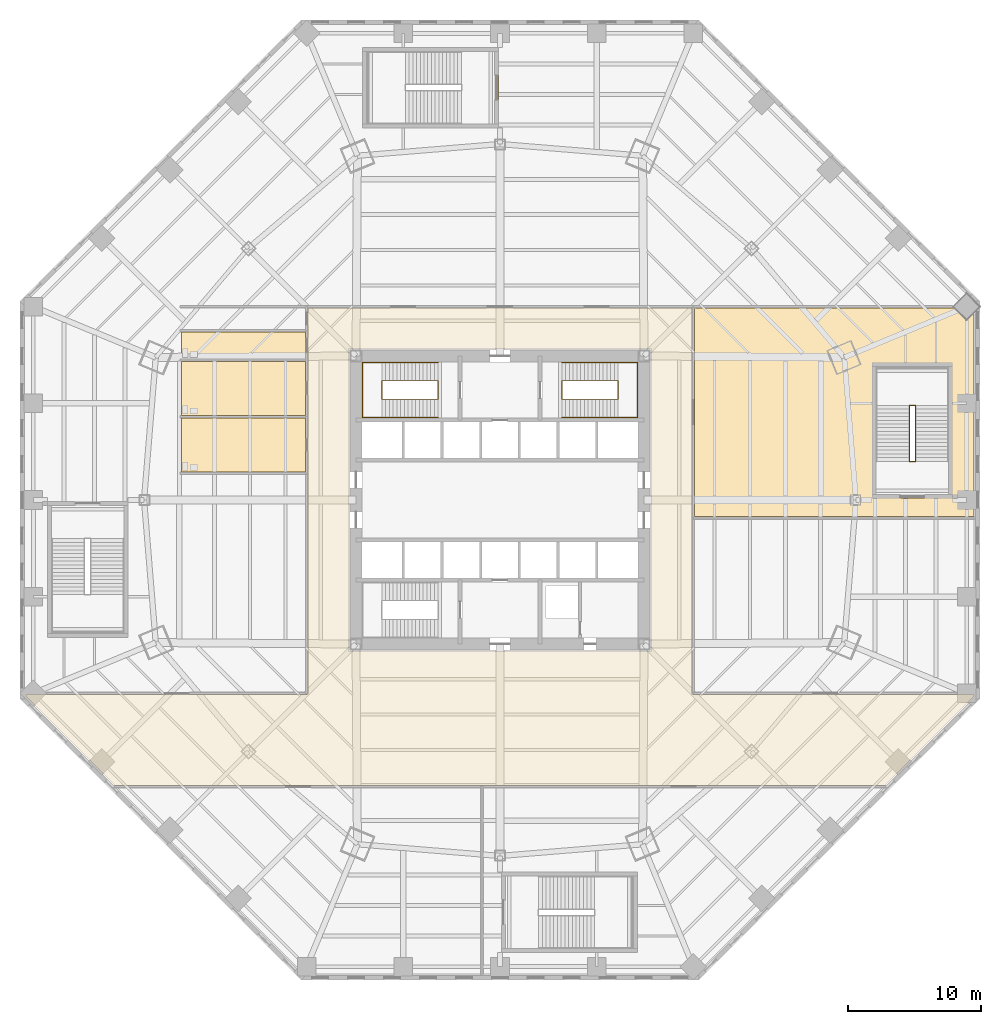
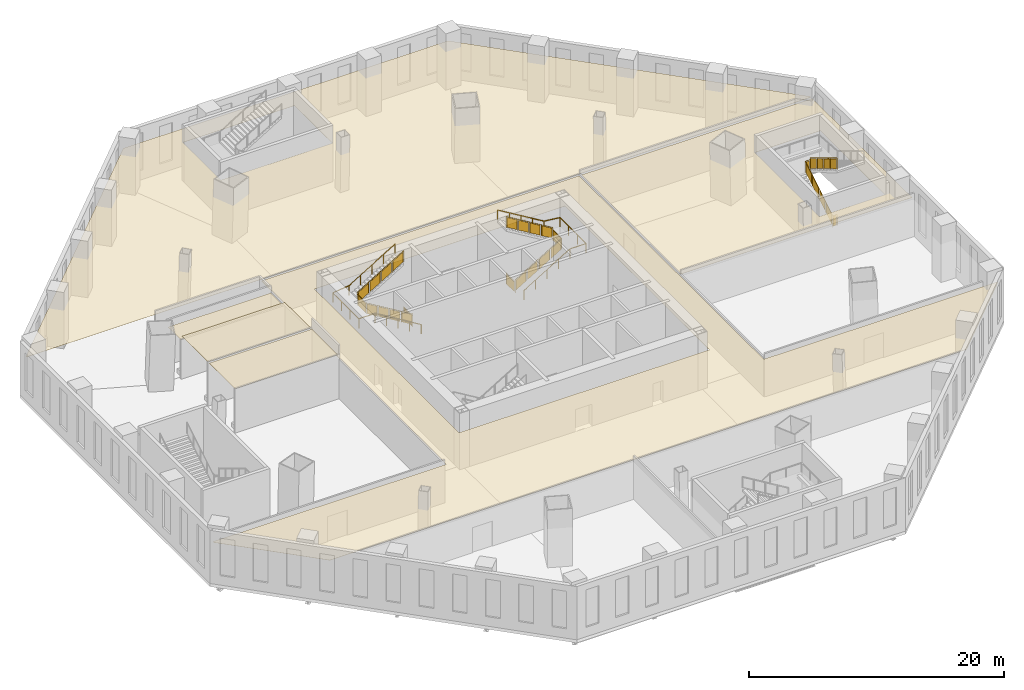
# One storey, part 16 of 18: 6 coverings, 5 railings.
"""IFC4 building model written with IfcOpenShell, lengths in metres."""

import ifcopenshell
import ifcopenshell.guid

model = None  # the IFC model being written
_history = None  # IfcOwnerHistory: only IFC2X3 demands one
_inside = {}  # id of a spatial element -> (the spatial element, [elements in it])
_under = {}  # id of a project, library or spatial element -> (it, [spatial elements below it])
_declared = {}  # id of a project -> (the project, [libraries it declares])
_typed = {}  # id of a type object -> (the type object, [elements of that type])
_made_of = {}  # id of a material, layer set ... -> (it, [elements and type objects made of it])


def new_model(schema):
    """Start an empty IFC model of exactly this schema.

    Asked for "IFC4X3", IfcOpenShell would pick the latest addendum, in which some entities
    have other attributes; the version numbers below select the first issue.
    IFC2X3 requires an IfcOwnerHistory on every rooted entity: one is made here for all.
    """
    global model, _history
    if schema == "IFC4X3":
        model = ifcopenshell.file(schema_version=(4, 3, 0, 0))
    else:
        model = ifcopenshell.file(schema=schema)
    _inside.clear()
    _under.clear()
    _declared.clear()
    _typed.clear()
    _made_of.clear()
    _history = None
    if model.schema == "IFC2X3":
        org = make("IfcOrganization", Name="unknown")
        user = make(
            "IfcPersonAndOrganization",
            ThePerson=make("IfcPerson", FamilyName="unknown"),
            TheOrganization=org,
        )
        app = make(
            "IfcApplication",
            ApplicationDeveloper=org,
            Version="unknown",
            ApplicationFullName="unknown",
            ApplicationIdentifier="unknown",
        )
        _history = make(
            "IfcOwnerHistory",
            OwningUser=user,
            OwningApplication=app,
            ChangeAction="ADDED",
            CreationDate=0,
        )
    return model


def make(cls, **values):
    """One entity of the class cls with the attributes given. An attribute that is None is left unset."""
    return model.create_entity(
        cls, **{name: value for name, value in values.items() if value is not None}
    )


def rooted(cls, **values):
    """An entity with a GlobalId (a new one), such as an element, a storey or a relation."""
    return make(cls, GlobalId=ifcopenshell.guid.new(), OwnerHistory=_history, **values)


def si_unit(unit_type, name, prefix=None):
    """IfcSIUnit, for example si_unit("LENGTHUNIT", "METRE", prefix="MILLI")."""
    return make("IfcSIUnit", UnitType=unit_type, Prefix=prefix, Name=name)


def assignment(units):
    """IfcUnitAssignment: the units of a project."""
    return None if units is None else make("IfcUnitAssignment", Units=units)


def point(xyz):
    """IfcCartesianPoint."""
    return None if xyz is None else make("IfcCartesianPoint", Coordinates=xyz)


def direction(xyz):
    """IfcDirection."""
    return None if xyz is None else make("IfcDirection", DirectionRatios=xyz)


def frame(location, z_axis=None, x_axis=None):
    """IfcAxis2Placement3D, a coordinate frame: its origin and axes. An axis left out is left unset."""
    return make(
        "IfcAxis2Placement3D",
        Location=point(location),
        Axis=direction(z_axis),
        RefDirection=direction(x_axis),
    )


def frame_2d(location, x_axis=None):
    """IfcAxis2Placement2D, a coordinate frame in the plane: its origin and x axis."""
    return make(
        "IfcAxis2Placement2D", Location=point(location), RefDirection=direction(x_axis)
    )


def origin():
    """The frame at (0, 0, 0) with its axes left unset."""
    return frame((0.0, 0.0, 0.0))


def origin_2d():
    """The frame at (0, 0) in the plane with its x axis left unset."""
    return frame_2d((0.0, 0.0))


def place(relative_to, where):
    """IfcLocalPlacement: puts the frame where relative to a parent placement (None: the world)."""
    return make(
        "IfcLocalPlacement", PlacementRelTo=relative_to, RelativePlacement=where
    )


def context(
    kind, dimensions, precision=None, world=None, true_north=None, identifier=None
):
    """IfcGeometricRepresentationContext, for example the 3D "Model" context."""
    return make(
        "IfcGeometricRepresentationContext",
        ContextIdentifier=identifier,
        ContextType=kind,
        CoordinateSpaceDimension=dimensions,
        Precision=precision,
        WorldCoordinateSystem=world,
        TrueNorth=true_north,
    )


def subcontext(parent, identifier, kind, view, scale=None):
    """IfcGeometricRepresentationSubContext, for example "Body" below "Model"."""
    return make(
        "IfcGeometricRepresentationSubContext",
        ContextIdentifier=identifier,
        ContextType=kind,
        ParentContext=parent,
        TargetScale=scale,
        TargetView=view,
    )


def project(units=None, contexts=None):
    """IfcProject with its units and contexts."""
    return rooted(
        "IfcProject",
        Name="project",
        RepresentationContexts=contexts,
        UnitsInContext=assignment(units),
    )


def spatial(cls, under=None, at=None, **own):
    """A site, building, storey or space (cls), placed at a placement, below another one or the project."""
    s = rooted(cls, ObjectPlacement=at, **own)
    if under is not None:
        _under.setdefault(under.id(), (under, []))[1].append(s)
    return s


def polyline(points):
    """IfcPolyline through the points."""
    return make("IfcPolyline", Points=[point(p) for p in points])


def profile(cls, at=None, kind="AREA", **sizes):
    """A parametric profile (cls). Its sizes go by their IFC names, for example OverallWidth=200.0."""
    return make(cls, ProfileType=kind, Position=at, **sizes)


def circle(**sizes):
    """IfcCircleProfileDef."""
    return profile("IfcCircleProfileDef", **sizes)


def outline(outer, holes=None, kind="AREA"):
    """IfcArbitraryClosedProfileDef: a profile drawn as a closed curve; with holes, ...WithVoids."""
    if holes is None:
        return make("IfcArbitraryClosedProfileDef", ProfileType=kind, OuterCurve=outer)
    return make(
        "IfcArbitraryProfileDefWithVoids",
        ProfileType=kind,
        OuterCurve=outer,
        InnerCurves=holes,
    )


def extrude(swept, where, along, depth):
    """IfcExtrudedAreaSolid: the profile swept, set in the frame where, extruded along a direction by depth."""
    return make(
        "IfcExtrudedAreaSolid",
        SweptArea=swept,
        Position=where,
        ExtrudedDirection=direction(along),
        Depth=depth,
    )


def shape(context_of_items, identifier, shape_type, items):
    """IfcShapeRepresentation: the items that make up one representation, for example the "Body"."""
    return make(
        "IfcShapeRepresentation",
        ContextOfItems=context_of_items,
        RepresentationIdentifier=identifier,
        RepresentationType=shape_type,
        Items=items,
    )


def material(Name=None, Category=None):
    """IfcMaterial."""
    return make("IfcMaterial", Name=Name, Category=Category)


def layer(
    of_material, thickness, ventilated=None, Name=None, Category=None, Priority=None
):
    """IfcMaterialLayer: one layer of a wall or slab, of a material (None: an air gap)."""
    return make(
        "IfcMaterialLayer",
        Material=of_material,
        LayerThickness=thickness,
        IsVentilated=ventilated,
        Name=Name,
        Category=Category,
        Priority=Priority,
    )


def layer_set(layers, Name=None):
    """IfcMaterialLayerSet."""
    return make("IfcMaterialLayerSet", MaterialLayers=layers, LayerSetName=Name)


def made_of(thing, what):
    """Note that an element or type object is made of a material, layer set ...; save() writes the relation."""
    if what is not None:
        _made_of.setdefault(what.id(), (what, []))[1].append(thing)
    return thing


def type_object(cls, material=None, **own):
    """A type object (cls), such as IfcWallType, which elements share."""
    return made_of(rooted(cls, **own), material)


def element(
    cls,
    number,
    at=None,
    inside=None,
    cuts=None,
    type_object=None,
    material=None,
    context=None,
    identifier="Body",
    shape_type=None,
    held_by="IfcProductDefinitionShape",
    body=None,
    shapes=None,
    **own,
):
    """One element of the class cls, such as IfcWall. Its Tag is "e" and its number.

    at: its placement. inside: the storey or other place that contains it. cuts: it is an
    opening in that element (IfcRelVoidsElement). A single representation is given by context,
    identifier, shape_type and body (its items); several are given by shapes. held_by: the class
    of the entity that holds the representations. save() writes the other relations.
    """
    e = rooted(cls, Tag="e%d" % number, ObjectPlacement=at, **own)
    if body is not None:
        shapes = [shape(context, identifier, shape_type, body)]
    if shapes is not None:
        e.Representation = make(held_by, Representations=shapes)
    if inside is not None:
        _inside.setdefault(inside.id(), (inside, []))[1].append(e)
    if cuts is not None:
        rooted(
            "IfcRelVoidsElement", RelatingBuildingElement=cuts, RelatedOpeningElement=e
        )
    if type_object is not None:
        _typed.setdefault(type_object.id(), (type_object, []))[1].append(e)
    return made_of(e, material)


def aggregate(whole, parts):
    """IfcRelAggregates: a whole, such as a stair, and the parts it consists of."""
    return rooted("IfcRelAggregates", RelatingObject=whole, RelatedObjects=parts)


def save(model, path):
    """Write the relations noted so far, then the file.

    IfcRelAggregates (storeys below a building ...), IfcRelContainedInSpatialStructure (elements
    in a storey), IfcRelDefinesByType, IfcRelAssociatesMaterial and IfcRelDeclares: one each for
    every whole, place, type object, material and project.
    """
    for whole, parts in _under.values():
        aggregate(whole, parts)
    for where, things in _inside.values():
        rooted(
            "IfcRelContainedInSpatialStructure",
            RelatedElements=things,
            RelatingStructure=where,
        )
    for kind, things in _typed.values():
        rooted("IfcRelDefinesByType", RelatedObjects=things, RelatingType=kind)
    for what, things in _made_of.values():
        rooted("IfcRelAssociatesMaterial", RelatedObjects=things, RelatingMaterial=what)
    for by, libraries in _declared.values():
        rooted("IfcRelDeclares", RelatingContext=by, RelatedDefinitions=libraries)
    model.write(path)


model = new_model("IFC4")

# Units and contexts
model_context = context("Model", 3, precision=1e-05, world=origin(), true_north=direction((0.0, 1.0)))
body_context = subcontext(model_context, "Body", "Model", "MODEL_VIEW")
ifc_project = project(units=[si_unit("LENGTHUNIT", "METRE"), si_unit("AREAUNIT", "SQUARE_METRE"), si_unit("VOLUMEUNIT", "CUBIC_METRE"), si_unit("PLANEANGLEUNIT", "RADIAN"), si_unit("MASSUNIT", "GRAM", prefix="KILO")], contexts=[model_context])

# Site, building, storey
site_placement = place(None, origin())
site = spatial("IfcSite", under=ifc_project, at=site_placement, CompositionType="ELEMENT")
building_placement = place(site_placement, origin())
building = spatial("IfcBuilding", under=site, at=building_placement, Name="Mashrafa Tower", CompositionType="ELEMENT")
storey_placement = place(building_placement, frame((0.0, 0.0, 18.60009765625)))
storey = spatial("IfcBuildingStorey", under=building, at=storey_placement, Name="L03", CompositionType="ELEMENT", Elevation=18.60009765625)

# Railings
ifc_material_1 = material(Name="Steel guard with glass infill", Category="steel")
railing_type_1 = type_object("IfcRailingType", Name="Stair guard 1100", PredefinedType="GUARDRAIL", material=ifc_material_1)
railing_1_placement = place(storey_placement, frame((-4.64990234375, 8.949951171875, 0.0)))
element("IfcRailing", 1, at=railing_1_placement, inside=storey, type_object=railing_type_1, Name="Stair S1 guard L03", PredefinedType="GUARDRAIL", context=body_context, shape_type="SweptSolid", body=[
    extrude(circle(Radius=0.02392578125, at=origin_2d()), frame((0.0, 0.0, 1.076171875), z_axis=(0.0, -1.0, 0.0), x_axis=(1.0, 0.0, 0.0)), (0.0, 0.0, 1.0), 1.39990234375),
    extrude(circle(Radius=0.02392578125, at=origin_2d()), frame((0.0, -1.39990234375, 1.076171875), z_axis=(0.0, 0.0, 1.0), x_axis=(1.0, 0.0, 0.0)), (0.0, 0.0, 1.0), 0.168701171875),
    extrude(circle(Radius=0.02392578125, at=origin_2d()), frame((0.0, -1.39990234375, 1.24462890625), z_axis=(-0.856489757249, 0.0, 0.516164020179), x_axis=(0.0, -1.0, 0.0)), (0.0, 0.0, 1.0), 4.904052734375),
    extrude(circle(Radius=0.02392578125, at=origin_2d()), frame((-4.2001953125, -1.39990234375, 3.77587890625), z_axis=(0.0, 1.0, 0.0), x_axis=(-1.0, 0.0, 0.0)), (0.0, 0.0, 1.0), 1.39990234375),
    extrude(circle(Radius=0.02392578125, at=origin_2d()), frame((-4.2001953125, 0.0, 3.77587890625), z_axis=(0.0, 0.0, 1.0), x_axis=(1.0, 0.0, 0.0)), (0.0, 0.0, 1.0), 0.168701171875),
    extrude(circle(Radius=0.02392578125, at=origin_2d()), frame((-4.2001953125, 0.0, 3.94482421875), z_axis=(0.856489757249, 0.0, 0.516164020179), x_axis=(0.0, 1.0, 0.0)), (0.0, 0.0, 1.0), 4.904052734375),
    extrude(circle(Radius=0.02099609375, at=origin_2d()), origin(), (0.0, 0.0, 1.0), 1.052001953125),
    extrude(circle(Radius=0.02099609375, at=origin_2d()), frame((0.0, -1.39990234375, 0.0)), (0.0, 0.0, 1.0), 1.052001953125),
    extrude(circle(Radius=0.02099609375, at=origin_2d()), frame((0.0, -1.39990234375, 0.168701171875)), (0.0, 0.0, 1.0), 1.052001953125),
    extrude(circle(Radius=0.02099609375, at=origin_2d()), frame((-1.050048828125, -1.39990234375, 0.801513671875)), (0.0, 0.0, 1.0), 1.052001953125),
    extrude(circle(Radius=0.02099609375, at=origin_2d()), frame((-2.10009765625, -1.39990234375, 1.434326171875)), (0.0, 0.0, 1.0), 1.052001953125),
    extrude(circle(Radius=0.02099609375, at=origin_2d()), frame((-3.150146484375, -1.39990234375, 2.067138671875)), (0.0, 0.0, 1.0), 1.052001953125),
    extrude(circle(Radius=0.02099609375, at=origin_2d()), frame((-4.2001953125, -1.39990234375, 2.699951171875)), (0.0, 0.0, 1.0), 1.052001953125),
    extrude(circle(Radius=0.02099609375, at=origin_2d()), frame((-4.2001953125, 0.0, 2.699951171875)), (0.0, 0.0, 1.0), 1.052001953125),
    extrude(circle(Radius=0.02099609375, at=origin_2d()), frame((-4.2001953125, 0.0, 2.86865234375)), (0.0, 0.0, 1.0), 1.052001953125),
    extrude(circle(Radius=0.02099609375, at=origin_2d()), frame((-3.150146484375, 0.0, 3.50146484375)), (0.0, 0.0, 1.0), 1.052001953125),
    extrude(circle(Radius=0.02099609375, at=origin_2d()), frame((-2.10009765625, 0.0, 4.13427734375)), (0.0, 0.0, 1.0), 1.052001953125),
    extrude(circle(Radius=0.02099609375, at=origin_2d()), frame((-1.050048828125, 0.0, 4.76708984375)), (0.0, 0.0, 1.0), 1.052001953125),
    extrude(circle(Radius=0.02099609375, at=origin_2d()), frame((0.0, 0.0, 5.39990234375)), (0.0, 0.0, 1.0), 1.052001953125),
    extrude(outline(polyline([(0.071044921875, 0.050048828125), (1.328857421875, 0.050048828125), (1.328857421875, 1.001953125), (0.071044921875, 1.001953125), (0.071044921875, 0.050048828125)])), frame((-0.006103515625, 0.0, 0.0), z_axis=(-1.0, 0.0, 0.0), x_axis=(0.0, -1.0, 0.0)), (0.0, 0.0, 1.0), 0.011962890625),
    extrude(outline(polyline([(0.071044921875, 0.0927734375), (0.97900390625, 0.64013671875), (0.97900390625, 1.592041015625), (0.071044921875, 1.044677734375), (0.071044921875, 0.0927734375)])), frame((0.0, -1.393798828125, 0.168701171875), z_axis=(0.0, 1.0, 0.0), x_axis=(-1.0, 0.0, 0.0)), (0.0, 0.0, 1.0), 0.011962890625),
    extrude(outline(polyline([(1.12109375, 0.7255859375), (2.029052734375, 1.27294921875), (2.029052734375, 2.224853515625), (1.12109375, 1.677490234375), (1.12109375, 0.7255859375)])), frame((0.0, -1.393798828125, 0.168701171875), z_axis=(0.0, 1.0, 0.0), x_axis=(-1.0, 0.0, 0.0)), (0.0, 0.0, 1.0), 0.011962890625),
    extrude(outline(polyline([(2.171142578125, 1.3583984375), (3.0791015625, 1.90576171875), (3.0791015625, 2.857666015625), (2.171142578125, 2.310302734375), (2.171142578125, 1.3583984375)])), frame((0.0, -1.393798828125, 0.168701171875), z_axis=(0.0, 1.0, 0.0), x_axis=(-1.0, 0.0, 0.0)), (0.0, 0.0, 1.0), 0.011962890625),
    extrude(outline(polyline([(3.22119140625, 1.9912109375), (4.129150390625, 2.53857421875), (4.129150390625, 3.490478515625), (3.22119140625, 2.943115234375), (3.22119140625, 1.9912109375)])), frame((0.0, -1.393798828125, 0.168701171875), z_axis=(0.0, 1.0, 0.0), x_axis=(-1.0, 0.0, 0.0)), (0.0, 0.0, 1.0), 0.011962890625),
    extrude(outline(polyline([(0.071044921875, 0.050048828125), (1.328857421875, 0.050048828125), (1.328857421875, 1.001953125), (0.071044921875, 1.001953125), (0.071044921875, 0.050048828125)])), frame((-4.194091796875, -1.39990234375, 2.699951171875), z_axis=(1.0, 0.0, 0.0), x_axis=(0.0, 1.0, 0.0)), (0.0, 0.0, 1.0), 0.011962890625),
    extrude(outline(polyline([(0.071044921875, 0.0927734375), (0.97900390625, 0.64013671875), (0.97900390625, 1.592041015625), (0.071044921875, 1.044677734375), (0.071044921875, 0.0927734375)])), frame((-4.2001953125, -0.006103515625, 2.86865234375), z_axis=(0.0, -1.0, 0.0), x_axis=(1.0, 0.0, 0.0)), (0.0, 0.0, 1.0), 0.011962890625),
    extrude(outline(polyline([(1.12109375, 0.7255859375), (2.029052734375, 1.27294921875), (2.029052734375, 2.224853515625), (1.12109375, 1.677490234375), (1.12109375, 0.7255859375)])), frame((-4.2001953125, -0.006103515625, 2.86865234375), z_axis=(0.0, -1.0, 0.0), x_axis=(1.0, 0.0, 0.0)), (0.0, 0.0, 1.0), 0.011962890625),
    extrude(outline(polyline([(2.171142578125, 1.3583984375), (3.0791015625, 1.90576171875), (3.0791015625, 2.857666015625), (2.171142578125, 2.310302734375), (2.171142578125, 1.3583984375)])), frame((-4.2001953125, -0.006103515625, 2.86865234375), z_axis=(0.0, -1.0, 0.0), x_axis=(1.0, 0.0, 0.0)), (0.0, 0.0, 1.0), 0.011962890625),
    extrude(outline(polyline([(3.22119140625, 1.9912109375), (4.129150390625, 2.53857421875), (4.129150390625, 3.490478515625), (3.22119140625, 2.943115234375), (3.22119140625, 1.9912109375)])), frame((-4.2001953125, -0.006103515625, 2.86865234375), z_axis=(0.0, -1.0, 0.0), x_axis=(1.0, 0.0, 0.0)), (0.0, 0.0, 1.0), 0.011962890625),
])
railing_2_placement = place(storey_placement, frame((4.64990234375, 8.949951171875, 0.0)))
element("IfcRailing", 2, at=railing_2_placement, inside=storey, type_object=railing_type_1, Name="Stair S2 guard L03", PredefinedType="GUARDRAIL", context=body_context, shape_type="SweptSolid", body=[
    extrude(circle(Radius=0.02392578125, at=origin_2d()), frame((0.0, 0.0, 1.076171875), z_axis=(0.0, -1.0, 0.0), x_axis=(1.0, 0.0, 0.0)), (0.0, 0.0, 1.0), 1.39990234375),
    extrude(circle(Radius=0.02392578125, at=origin_2d()), frame((0.0, -1.39990234375, 1.076171875), z_axis=(0.0, 0.0, 1.0), x_axis=(1.0, 0.0, 0.0)), (0.0, 0.0, 1.0), 0.168701171875),
    extrude(circle(Radius=0.02392578125, at=origin_2d()), frame((0.0, -1.39990234375, 1.24462890625), z_axis=(0.856489757249, 0.0, 0.516164020179), x_axis=(0.0, 1.0, 0.0)), (0.0, 0.0, 1.0), 4.904052734375),
    extrude(circle(Radius=0.02392578125, at=origin_2d()), frame((4.2001953125, -1.39990234375, 3.77587890625), z_axis=(0.0, 1.0, 0.0), x_axis=(-1.0, 0.0, 0.0)), (0.0, 0.0, 1.0), 1.39990234375),
    extrude(circle(Radius=0.02392578125, at=origin_2d()), frame((4.2001953125, 0.0, 3.77587890625), z_axis=(0.0, 0.0, 1.0), x_axis=(1.0, 0.0, 0.0)), (0.0, 0.0, 1.0), 0.168701171875),
    extrude(circle(Radius=0.02392578125, at=origin_2d()), frame((4.2001953125, 0.0, 3.94482421875), z_axis=(-0.856489757249, 0.0, 0.516164020179), x_axis=(0.0, -1.0, 0.0)), (0.0, 0.0, 1.0), 4.904052734375),
    extrude(circle(Radius=0.02099609375, at=origin_2d()), origin(), (0.0, 0.0, 1.0), 1.052001953125),
    extrude(circle(Radius=0.02099609375, at=origin_2d()), frame((0.0, -1.39990234375, 0.0)), (0.0, 0.0, 1.0), 1.052001953125),
    extrude(circle(Radius=0.02099609375, at=origin_2d()), frame((0.0, -1.39990234375, 0.168701171875)), (0.0, 0.0, 1.0), 1.052001953125),
    extrude(circle(Radius=0.02099609375, at=origin_2d()), frame((1.050048828125, -1.39990234375, 0.801513671875)), (0.0, 0.0, 1.0), 1.052001953125),
    extrude(circle(Radius=0.02099609375, at=origin_2d()), frame((2.10009765625, -1.39990234375, 1.434326171875)), (0.0, 0.0, 1.0), 1.052001953125),
    extrude(circle(Radius=0.02099609375, at=origin_2d()), frame((3.150146484375, -1.39990234375, 2.067138671875)), (0.0, 0.0, 1.0), 1.052001953125),
    extrude(circle(Radius=0.02099609375, at=origin_2d()), frame((4.2001953125, -1.39990234375, 2.699951171875)), (0.0, 0.0, 1.0), 1.052001953125),
    extrude(circle(Radius=0.02099609375, at=origin_2d()), frame((4.2001953125, 0.0, 2.699951171875)), (0.0, 0.0, 1.0), 1.052001953125),
    extrude(circle(Radius=0.02099609375, at=origin_2d()), frame((4.2001953125, 0.0, 2.86865234375)), (0.0, 0.0, 1.0), 1.052001953125),
    extrude(circle(Radius=0.02099609375, at=origin_2d()), frame((3.150146484375, 0.0, 3.50146484375)), (0.0, 0.0, 1.0), 1.052001953125),
    extrude(circle(Radius=0.02099609375, at=origin_2d()), frame((2.10009765625, 0.0, 4.13427734375)), (0.0, 0.0, 1.0), 1.052001953125),
    extrude(circle(Radius=0.02099609375, at=origin_2d()), frame((1.050048828125, 0.0, 4.76708984375)), (0.0, 0.0, 1.0), 1.052001953125),
    extrude(circle(Radius=0.02099609375, at=origin_2d()), frame((0.0, 0.0, 5.39990234375)), (0.0, 0.0, 1.0), 1.052001953125),
    extrude(outline(polyline([(0.071044921875, 0.050048828125), (1.328857421875, 0.050048828125), (1.328857421875, 1.001953125), (0.071044921875, 1.001953125), (0.071044921875, 0.050048828125)])), frame((-0.006103515625, 0.0, 0.0), z_axis=(-1.0, 0.0, 0.0), x_axis=(0.0, -1.0, 0.0)), (0.0, 0.0, 1.0), 0.011962890625),
    extrude(outline(polyline([(0.071044921875, 0.0927734375), (0.97900390625, 0.64013671875), (0.97900390625, 1.592041015625), (0.071044921875, 1.044677734375), (0.071044921875, 0.0927734375)])), frame((0.0, -1.406005859375, 0.168701171875), z_axis=(0.0, -1.0, 0.0), x_axis=(1.0, 0.0, 0.0)), (0.0, 0.0, 1.0), 0.011962890625),
    extrude(outline(polyline([(1.12109375, 0.7255859375), (2.029052734375, 1.27294921875), (2.029052734375, 2.224853515625), (1.12109375, 1.677490234375), (1.12109375, 0.7255859375)])), frame((0.0, -1.406005859375, 0.168701171875), z_axis=(0.0, -1.0, 0.0), x_axis=(1.0, 0.0, 0.0)), (0.0, 0.0, 1.0), 0.011962890625),
    extrude(outline(polyline([(2.171142578125, 1.3583984375), (3.0791015625, 1.90576171875), (3.0791015625, 2.857666015625), (2.171142578125, 2.310302734375), (2.171142578125, 1.3583984375)])), frame((0.0, -1.406005859375, 0.168701171875), z_axis=(0.0, -1.0, 0.0), x_axis=(1.0, 0.0, 0.0)), (0.0, 0.0, 1.0), 0.011962890625),
    extrude(outline(polyline([(3.22119140625, 1.9912109375), (4.129150390625, 2.53857421875), (4.129150390625, 3.490478515625), (3.22119140625, 2.943115234375), (3.22119140625, 1.9912109375)])), frame((0.0, -1.406005859375, 0.168701171875), z_axis=(0.0, -1.0, 0.0), x_axis=(1.0, 0.0, 0.0)), (0.0, 0.0, 1.0), 0.011962890625),
    extrude(outline(polyline([(0.071044921875, 0.050048828125), (1.328857421875, 0.050048828125), (1.328857421875, 1.001953125), (0.071044921875, 1.001953125), (0.071044921875, 0.050048828125)])), frame((4.206298828125, -1.39990234375, 2.699951171875), z_axis=(1.0, 0.0, 0.0), x_axis=(0.0, 1.0, 0.0)), (0.0, 0.0, 1.0), 0.011962890625),
    extrude(outline(polyline([(0.071044921875, 0.0927734375), (0.97900390625, 0.64013671875), (0.97900390625, 1.592041015625), (0.071044921875, 1.044677734375), (0.071044921875, 0.0927734375)])), frame((4.2001953125, 0.006103515625, 2.86865234375), z_axis=(0.0, 1.0, 0.0), x_axis=(-1.0, 0.0, 0.0)), (0.0, 0.0, 1.0), 0.011962890625),
    extrude(outline(polyline([(1.12109375, 0.7255859375), (2.029052734375, 1.27294921875), (2.029052734375, 2.224853515625), (1.12109375, 1.677490234375), (1.12109375, 0.7255859375)])), frame((4.2001953125, 0.006103515625, 2.86865234375), z_axis=(0.0, 1.0, 0.0), x_axis=(-1.0, 0.0, 0.0)), (0.0, 0.0, 1.0), 0.011962890625),
    extrude(outline(polyline([(2.171142578125, 1.3583984375), (3.0791015625, 1.90576171875), (3.0791015625, 2.857666015625), (2.171142578125, 2.310302734375), (2.171142578125, 1.3583984375)])), frame((4.2001953125, 0.006103515625, 2.86865234375), z_axis=(0.0, 1.0, 0.0), x_axis=(-1.0, 0.0, 0.0)), (0.0, 0.0, 1.0), 0.011962890625),
    extrude(outline(polyline([(3.22119140625, 1.9912109375), (4.129150390625, 2.53857421875), (4.129150390625, 3.490478515625), (3.22119140625, 2.943115234375), (3.22119140625, 1.9912109375)])), frame((4.2001953125, 0.006103515625, 2.86865234375), z_axis=(0.0, 1.0, 0.0), x_axis=(-1.0, 0.0, 0.0)), (0.0, 0.0, 1.0), 0.011962890625),
])
railing_3_placement = place(storey_placement, frame((31.14990234375, 2.89990234375, 0.0)))
element("IfcRailing", 3, at=railing_3_placement, inside=storey, type_object=railing_type_1, Name="Stair P1 guard L03", PredefinedType="GUARDRAIL", context=body_context, shape_type="SweptSolid", body=[
    extrude(circle(Radius=0.02392578125, at=origin_2d()), frame((0.0, 0.0, 1.076171875), z_axis=(-1.0, 0.0, 0.0), x_axis=(0.0, -1.0, 0.0)), (0.0, 0.0, 1.0), 0.449951171875),
    extrude(circle(Radius=0.02392578125, at=origin_2d()), frame((-0.449951171875, 0.0, 1.076171875), z_axis=(0.0, 0.0, 1.0), x_axis=(1.0, 0.0, 0.0)), (0.0, 0.0, 1.0), 0.168701171875),
    extrude(circle(Radius=0.02392578125, at=origin_2d()), frame((-0.449951171875, 0.0, 1.24462890625), z_axis=(0.0, 0.856489757249, 0.516164020179), x_axis=(-1.0, 0.0, 0.0)), (0.0, 0.0, 1.0), 4.904052734375),
    extrude(circle(Radius=0.02392578125, at=origin_2d()), frame((-0.449951171875, 4.2001953125, 3.77587890625), z_axis=(1.0, 0.0, 0.0), x_axis=(0.0, 1.0, 0.0)), (0.0, 0.0, 1.0), 0.449951171875),
    extrude(circle(Radius=0.02392578125, at=origin_2d()), frame((0.0, 4.2001953125, 3.77587890625), z_axis=(0.0, 0.0, 1.0), x_axis=(1.0, 0.0, 0.0)), (0.0, 0.0, 1.0), 0.168701171875),
    extrude(circle(Radius=0.02392578125, at=origin_2d()), frame((0.0, 4.2001953125, 3.94482421875), z_axis=(0.0, -0.856489757249, 0.516164020179), x_axis=(1.0, 0.0, 0.0)), (0.0, 0.0, 1.0), 4.904052734375),
    extrude(circle(Radius=0.02099609375, at=origin_2d()), origin(), (0.0, 0.0, 1.0), 1.052001953125),
    extrude(circle(Radius=0.02099609375, at=origin_2d()), frame((-0.449951171875, 0.0, 0.0)), (0.0, 0.0, 1.0), 1.052001953125),
    extrude(circle(Radius=0.02099609375, at=origin_2d()), frame((-0.449951171875, 0.0, 0.168701171875)), (0.0, 0.0, 1.0), 1.052001953125),
    extrude(circle(Radius=0.02099609375, at=origin_2d()), frame((-0.449951171875, 1.050048828125, 0.801513671875)), (0.0, 0.0, 1.0), 1.052001953125),
    extrude(circle(Radius=0.02099609375, at=origin_2d()), frame((-0.449951171875, 2.10009765625, 1.434326171875)), (0.0, 0.0, 1.0), 1.052001953125),
    extrude(circle(Radius=0.02099609375, at=origin_2d()), frame((-0.449951171875, 3.150146484375, 2.067138671875)), (0.0, 0.0, 1.0), 1.052001953125),
    extrude(circle(Radius=0.02099609375, at=origin_2d()), frame((-0.449951171875, 4.2001953125, 2.699951171875)), (0.0, 0.0, 1.0), 1.052001953125),
    extrude(circle(Radius=0.02099609375, at=origin_2d()), frame((0.0, 4.2001953125, 2.699951171875)), (0.0, 0.0, 1.0), 1.052001953125),
    extrude(circle(Radius=0.02099609375, at=origin_2d()), frame((0.0, 4.2001953125, 2.86865234375)), (0.0, 0.0, 1.0), 1.052001953125),
    extrude(circle(Radius=0.02099609375, at=origin_2d()), frame((0.0, 3.150146484375, 3.50146484375)), (0.0, 0.0, 1.0), 1.052001953125),
    extrude(circle(Radius=0.02099609375, at=origin_2d()), frame((0.0, 2.10009765625, 4.13427734375)), (0.0, 0.0, 1.0), 1.052001953125),
    extrude(circle(Radius=0.02099609375, at=origin_2d()), frame((0.0, 1.050048828125, 4.76708984375)), (0.0, 0.0, 1.0), 1.052001953125),
    extrude(circle(Radius=0.02099609375, at=origin_2d()), frame((0.0, 0.0, 5.39990234375)), (0.0, 0.0, 1.0), 1.052001953125),
    extrude(outline(polyline([(0.071044921875, 0.050048828125), (0.37890625, 0.050048828125), (0.37890625, 1.001953125), (0.071044921875, 1.001953125), (0.071044921875, 0.050048828125)])), frame((0.0, 0.006103515625, 0.0), z_axis=(0.0, 1.0, 0.0), x_axis=(-1.0, 0.0, 0.0)), (0.0, 0.0, 1.0), 0.011962890625),
    extrude(outline(polyline([(0.071044921875, 0.0927734375), (0.97900390625, 0.64013671875), (0.97900390625, 1.592041015625), (0.071044921875, 1.044677734375), (0.071044921875, 0.0927734375)])), frame((-0.44384765625, 0.0, 0.168701171875), z_axis=(1.0, 0.0, 0.0), x_axis=(0.0, 1.0, 0.0)), (0.0, 0.0, 1.0), 0.011962890625),
    extrude(outline(polyline([(1.12109375, 0.7255859375), (2.029052734375, 1.27294921875), (2.029052734375, 2.224853515625), (1.12109375, 1.677490234375), (1.12109375, 0.7255859375)])), frame((-0.44384765625, 0.0, 0.168701171875), z_axis=(1.0, 0.0, 0.0), x_axis=(0.0, 1.0, 0.0)), (0.0, 0.0, 1.0), 0.011962890625),
    extrude(outline(polyline([(2.171142578125, 1.3583984375), (3.0791015625, 1.90576171875), (3.0791015625, 2.857666015625), (2.171142578125, 2.310302734375), (2.171142578125, 1.3583984375)])), frame((-0.44384765625, 0.0, 0.168701171875), z_axis=(1.0, 0.0, 0.0), x_axis=(0.0, 1.0, 0.0)), (0.0, 0.0, 1.0), 0.011962890625),
    extrude(outline(polyline([(3.22119140625, 1.9912109375), (4.129150390625, 2.53857421875), (4.129150390625, 3.490478515625), (3.22119140625, 2.943115234375), (3.22119140625, 1.9912109375)])), frame((-0.44384765625, 0.0, 0.168701171875), z_axis=(1.0, 0.0, 0.0), x_axis=(0.0, 1.0, 0.0)), (0.0, 0.0, 1.0), 0.011962890625),
    extrude(outline(polyline([(0.071044921875, 0.050048828125), (0.37890625, 0.050048828125), (0.37890625, 1.001953125), (0.071044921875, 1.001953125), (0.071044921875, 0.050048828125)])), frame((-0.449951171875, 4.194091796875, 2.699951171875), z_axis=(0.0, -1.0, 0.0), x_axis=(1.0, 0.0, 0.0)), (0.0, 0.0, 1.0), 0.011962890625),
    extrude(outline(polyline([(0.071044921875, 0.0927734375), (0.97900390625, 0.64013671875), (0.97900390625, 1.592041015625), (0.071044921875, 1.044677734375), (0.071044921875, 0.0927734375)])), frame((-0.006103515625, 4.2001953125, 2.86865234375), z_axis=(-1.0, 0.0, 0.0), x_axis=(0.0, -1.0, 0.0)), (0.0, 0.0, 1.0), 0.011962890625),
    extrude(outline(polyline([(1.12109375, 0.7255859375), (2.029052734375, 1.27294921875), (2.029052734375, 2.224853515625), (1.12109375, 1.677490234375), (1.12109375, 0.7255859375)])), frame((-0.006103515625, 4.2001953125, 2.86865234375), z_axis=(-1.0, 0.0, 0.0), x_axis=(0.0, -1.0, 0.0)), (0.0, 0.0, 1.0), 0.011962890625),
    extrude(outline(polyline([(2.171142578125, 1.3583984375), (3.0791015625, 1.90576171875), (3.0791015625, 2.857666015625), (2.171142578125, 2.310302734375), (2.171142578125, 1.3583984375)])), frame((-0.006103515625, 4.2001953125, 2.86865234375), z_axis=(-1.0, 0.0, 0.0), x_axis=(0.0, -1.0, 0.0)), (0.0, 0.0, 1.0), 0.011962890625),
    extrude(outline(polyline([(3.22119140625, 1.9912109375), (4.129150390625, 2.53857421875), (4.129150390625, 3.490478515625), (3.22119140625, 2.943115234375), (3.22119140625, 1.9912109375)])), frame((-0.006103515625, 4.2001953125, 2.86865234375), z_axis=(-1.0, 0.0, 0.0), x_axis=(0.0, -1.0, 0.0)), (0.0, 0.0, 1.0), 0.011962890625),
])
ifc_material_2 = material(Name="Steel", Category="steel")
railing_type_2 = type_object("IfcRailingType", Name="Stair handrail 900", PredefinedType="HANDRAIL", material=ifc_material_2)
railing_4_placement = place(storey_placement, frame((-4.64990234375, 6.199951171875, 0.168701171875)))
element("IfcRailing", 4, at=railing_4_placement, inside=storey, type_object=railing_type_2, Name="Stair S1 handrail L03", PredefinedType="HANDRAIL", context=body_context, shape_type="SweptSolid", body=[
    extrude(circle(Radius=0.02392578125, at=origin_2d()), frame((0.0, 0.0, 0.8759765625), z_axis=(-0.856489757249, 0.0, 0.516164020179), x_axis=(0.0, -1.0, 0.0)), (0.0, 0.0, 1.0), 4.904052734375),
    extrude(circle(Radius=0.02392578125, at=origin_2d()), frame((-4.2001953125, 0.0, 3.4072265625), z_axis=(-1.0, 0.0, 0.0), x_axis=(0.0, -1.0, 0.0)), (0.0, 0.0, 1.0), 1.449951171875),
    extrude(circle(Radius=0.02392578125, at=origin_2d()), frame((-5.650146484375, 0.0, 3.4072265625), z_axis=(0.0, 1.0, 0.0), x_axis=(-1.0, 0.0, 0.0)), (0.0, 0.0, 1.0), 4.10009765625),
    extrude(circle(Radius=0.02392578125, at=origin_2d()), frame((-5.650146484375, 4.10009765625, 3.4072265625), z_axis=(0.993299345603, 0.0, 0.115569935648), x_axis=(0.0, 1.0, 0.0)), (0.0, 0.0, 1.0), 1.459716796875),
    extrude(circle(Radius=0.02392578125, at=origin_2d()), frame((-4.2001953125, 4.10009765625, 3.57568359375), z_axis=(0.856489757249, 0.0, 0.516164020179), x_axis=(0.0, 1.0, 0.0)), (0.0, 0.0, 1.0), 4.904052734375),
    extrude(circle(Radius=0.02099609375, at=origin_2d()), origin(), (0.0, 0.0, 1.0), 0.851806640625),
    extrude(circle(Radius=0.02099609375, at=origin_2d()), frame((-1.050048828125, 0.0, 0.6328125)), (0.0, 0.0, 1.0), 0.851806640625),
    extrude(circle(Radius=0.02099609375, at=origin_2d()), frame((-2.10009765625, 0.0, 1.265625)), (0.0, 0.0, 1.0), 0.851806640625),
    extrude(circle(Radius=0.02099609375, at=origin_2d()), frame((-3.150146484375, 0.0, 1.8984375)), (0.0, 0.0, 1.0), 0.851806640625),
    extrude(circle(Radius=0.02099609375, at=origin_2d()), frame((-4.2001953125, 0.0, 2.53125)), (0.0, 0.0, 1.0), 0.851806640625),
    extrude(circle(Radius=0.02099609375, at=origin_2d()), frame((-5.650146484375, 0.0, 2.53125)), (0.0, 0.0, 1.0), 0.851806640625),
    extrude(circle(Radius=0.02099609375, at=origin_2d()), frame((-5.650146484375, 1.36669921875, 2.53125)), (0.0, 0.0, 1.0), 0.851806640625),
    extrude(circle(Radius=0.02099609375, at=origin_2d()), frame((-5.650146484375, 2.7333984375, 2.53125)), (0.0, 0.0, 1.0), 0.851806640625),
    extrude(circle(Radius=0.02099609375, at=origin_2d()), frame((-5.650146484375, 4.10009765625, 2.53125)), (0.0, 0.0, 1.0), 0.851806640625),
    extrude(circle(Radius=0.02099609375, at=origin_2d()), frame((-4.2001953125, 4.10009765625, 2.699951171875)), (0.0, 0.0, 1.0), 0.851806640625),
    extrude(circle(Radius=0.02099609375, at=origin_2d()), frame((-3.150146484375, 4.10009765625, 3.332763671875)), (0.0, 0.0, 1.0), 0.851806640625),
    extrude(circle(Radius=0.02099609375, at=origin_2d()), frame((-2.10009765625, 4.10009765625, 3.965576171875)), (0.0, 0.0, 1.0), 0.851806640625),
    extrude(circle(Radius=0.02099609375, at=origin_2d()), frame((-1.050048828125, 4.10009765625, 4.598388671875)), (0.0, 0.0, 1.0), 0.851806640625),
    extrude(circle(Radius=0.02099609375, at=origin_2d()), frame((0.0, 4.10009765625, 5.231201171875)), (0.0, 0.0, 1.0), 0.851806640625),
])
railing_5_placement = place(storey_placement, frame((4.64990234375, 6.199951171875, 0.168701171875)))
element("IfcRailing", 5, at=railing_5_placement, inside=storey, type_object=railing_type_2, Name="Stair S2 handrail L03", PredefinedType="HANDRAIL", context=body_context, shape_type="SweptSolid", body=[
    extrude(circle(Radius=0.02392578125, at=origin_2d()), frame((0.0, 0.0, 0.8759765625), z_axis=(0.856489757249, 0.0, 0.516164020179), x_axis=(0.0, 1.0, 0.0)), (0.0, 0.0, 1.0), 4.904052734375),
    extrude(circle(Radius=0.02392578125, at=origin_2d()), frame((4.2001953125, 0.0, 3.4072265625), z_axis=(1.0, 0.0, 0.0), x_axis=(0.0, 1.0, 0.0)), (0.0, 0.0, 1.0), 1.449951171875),
    extrude(circle(Radius=0.02392578125, at=origin_2d()), frame((5.650146484375, 0.0, 3.4072265625), z_axis=(0.0, 1.0, 0.0), x_axis=(-1.0, 0.0, 0.0)), (0.0, 0.0, 1.0), 4.10009765625),
    extrude(circle(Radius=0.02392578125, at=origin_2d()), frame((5.650146484375, 4.10009765625, 3.4072265625), z_axis=(-0.993299345603, 0.0, 0.115569935648), x_axis=(0.0, -1.0, 0.0)), (0.0, 0.0, 1.0), 1.459716796875),
    extrude(circle(Radius=0.02392578125, at=origin_2d()), frame((4.2001953125, 4.10009765625, 3.57568359375), z_axis=(-0.856489757249, 0.0, 0.516164020179), x_axis=(0.0, -1.0, 0.0)), (0.0, 0.0, 1.0), 4.904052734375),
    extrude(circle(Radius=0.02099609375, at=origin_2d()), origin(), (0.0, 0.0, 1.0), 0.851806640625),
    extrude(circle(Radius=0.02099609375, at=origin_2d()), frame((1.050048828125, 0.0, 0.6328125)), (0.0, 0.0, 1.0), 0.851806640625),
    extrude(circle(Radius=0.02099609375, at=origin_2d()), frame((2.10009765625, 0.0, 1.265625)), (0.0, 0.0, 1.0), 0.851806640625),
    extrude(circle(Radius=0.02099609375, at=origin_2d()), frame((3.150146484375, 0.0, 1.8984375)), (0.0, 0.0, 1.0), 0.851806640625),
    extrude(circle(Radius=0.02099609375, at=origin_2d()), frame((4.2001953125, 0.0, 2.53125)), (0.0, 0.0, 1.0), 0.851806640625),
    extrude(circle(Radius=0.02099609375, at=origin_2d()), frame((5.650146484375, 0.0, 2.53125)), (0.0, 0.0, 1.0), 0.851806640625),
    extrude(circle(Radius=0.02099609375, at=origin_2d()), frame((5.650146484375, 1.36669921875, 2.53125)), (0.0, 0.0, 1.0), 0.851806640625),
    extrude(circle(Radius=0.02099609375, at=origin_2d()), frame((5.650146484375, 2.7333984375, 2.53125)), (0.0, 0.0, 1.0), 0.851806640625),
    extrude(circle(Radius=0.02099609375, at=origin_2d()), frame((5.650146484375, 4.10009765625, 2.53125)), (0.0, 0.0, 1.0), 0.851806640625),
    extrude(circle(Radius=0.02099609375, at=origin_2d()), frame((4.2001953125, 4.10009765625, 2.699951171875)), (0.0, 0.0, 1.0), 0.851806640625),
    extrude(circle(Radius=0.02099609375, at=origin_2d()), frame((3.150146484375, 4.10009765625, 3.332763671875)), (0.0, 0.0, 1.0), 0.851806640625),
    extrude(circle(Radius=0.02099609375, at=origin_2d()), frame((2.10009765625, 4.10009765625, 3.965576171875)), (0.0, 0.0, 1.0), 0.851806640625),
    extrude(circle(Radius=0.02099609375, at=origin_2d()), frame((1.050048828125, 4.10009765625, 4.598388671875)), (0.0, 0.0, 1.0), 0.851806640625),
    extrude(circle(Radius=0.02099609375, at=origin_2d()), frame((0.0, 4.10009765625, 5.231201171875)), (0.0, 0.0, 1.0), 0.851806640625),
])

# Coverings
ifc_material_3 = material(Name="Mineral fibre tile on suspension grid")
ifc_layer = layer(ifc_material_3, 0.014892578125)
ifc_layer_set = layer_set([ifc_layer], Name="Suspended ceiling mineral tile 15")
covering_type = type_object("IfcCoveringType", Name="Suspended ceiling mineral tile 15", PredefinedType="CEILING", material=ifc_layer_set)
covering_1_placement = place(storey_placement, frame((0.0, 0.0, 4.099853515625)))
element("IfcCovering", 6, at=covering_1_placement, inside=storey, type_object=covering_type, Name="Ceiling WC Female L03", PredefinedType="CEILING", context=body_context, shape_type="SweptSolid", body=[
    extrude(outline(polyline([(-23.89990234375, 2.10009765625), (-23.89990234375, 6.14990234375), (-14.60009765625, 6.14990234375), (-14.60009765625, 2.10009765625), (-23.89990234375, 2.10009765625)])), origin(), (0.0, 0.0, 1.0), 0.01513671875),
])
covering_2_placement = place(storey_placement, frame((0.0, 0.0, 4.099853515625)))
element("IfcCovering", 7, at=covering_2_placement, inside=storey, type_object=covering_type, Name="Ceiling WC Male L03", PredefinedType="CEILING", context=body_context, shape_type="SweptSolid", body=[
    extrude(outline(polyline([(-23.89990234375, 6.35009765625), (-23.89990234375, 10.39990234375), (-14.60009765625, 10.39990234375), (-14.60009765625, 6.35009765625), (-23.89990234375, 6.35009765625)])), origin(), (0.0, 0.0, 1.0), 0.01513671875),
])
covering_3_placement = place(storey_placement, frame((0.0, 0.0, 3.64990234375)))
element("IfcCovering", 8, at=covering_3_placement, inside=storey, type_object=covering_type, Name="Ceiling Accessible WC L03", PredefinedType="CEILING", context=body_context, shape_type="SweptSolid", body=[
    extrude(outline(polyline([(-23.89990234375, 10.60009765625), (-23.89990234375, 12.60009765625), (-14.60009765625, 12.60009765625), (-14.60009765625, 10.60009765625), (-23.89990234375, 10.60009765625)])), origin(), (0.0, 0.0, 1.0), 0.014892578125),
])
covering_4_placement = place(storey_placement, frame((0.0, 0.0, 3.64990234375)))
element("IfcCovering", 9, at=covering_4_placement, inside=storey, type_object=covering_type, Name="Ceiling Food Hall L03", PredefinedType="CEILING", context=body_context, shape_type="SweptSolid", body=[
    extrude(outline(polyline([(-35.550048828125, 14.60009765625), (-35.550048828125, 14.725341796875), (-14.725341796875, 35.550048828125), (14.725341796875, 35.550048828125), (35.550048828125, 14.725341796875), (35.550048828125, 14.60009765625), (-35.550048828125, 14.60009765625)]), holes=[polyline([(-0.14990234375, 27.949951171875), (-0.14990234375, 33.89990234375), (-10.25, 33.89990234375), (-10.25, 27.949951171875), (-0.14990234375, 27.949951171875)])]), origin(), (0.0, 0.0, 1.0), 0.014892578125),
])
covering_5_placement = place(storey_placement, frame((0.0, 0.0, 3.64990234375)))
element("IfcCovering", 10, at=covering_5_placement, inside=storey, type_object=covering_type, Name="Ceiling Retail Unit 301", PredefinedType="CEILING", context=body_context, shape_type="SweptSolid", body=[
    extrude(outline(polyline([(14.60009765625, -1.25), (14.60009765625, 14.39990234375), (35.550048828125, 14.39990234375), (35.550048828125, -1.25), (14.60009765625, -1.25)]), holes=[polyline([(33.89990234375, 10.25), (27.949951171875, 10.25), (27.949951171875, 0.14990234375), (33.89990234375, 0.14990234375), (33.89990234375, 10.25)])]), origin(), (0.0, 0.0, 1.0), 0.014892578125),
])
covering_6_placement = place(storey_placement, frame((0.0, 0.0, 3.64990234375)))
element("IfcCovering", 11, at=covering_6_placement, inside=storey, type_object=covering_type, Name="Ceiling Food Hall Concourse L03", PredefinedType="CEILING", context=body_context, shape_type="SweptSolid", body=[
    extrude(outline(polyline([(-28.875244140625, -21.39990234375), (-35.550048828125, -14.725341796875), (-35.550048828125, -14.60009765625), (-14.39990234375, -14.60009765625), (-14.39990234375, 14.39990234375), (14.39990234375, 14.39990234375), (14.39990234375, -14.60009765625), (35.550048828125, -14.60009765625), (35.550048828125, -14.725341796875), (28.875244140625, -21.39990234375), (-28.875244140625, -21.39990234375)]), holes=[polyline([(11.35009765625, 11.35009765625), (-11.35009765625, 11.35009765625), (-11.35009765625, -11.35009765625), (11.35009765625, -11.35009765625), (11.35009765625, 11.35009765625)])]), origin(), (0.0, 0.0, 1.0), 0.014892578125),
])

save(model, "model.ifc")
